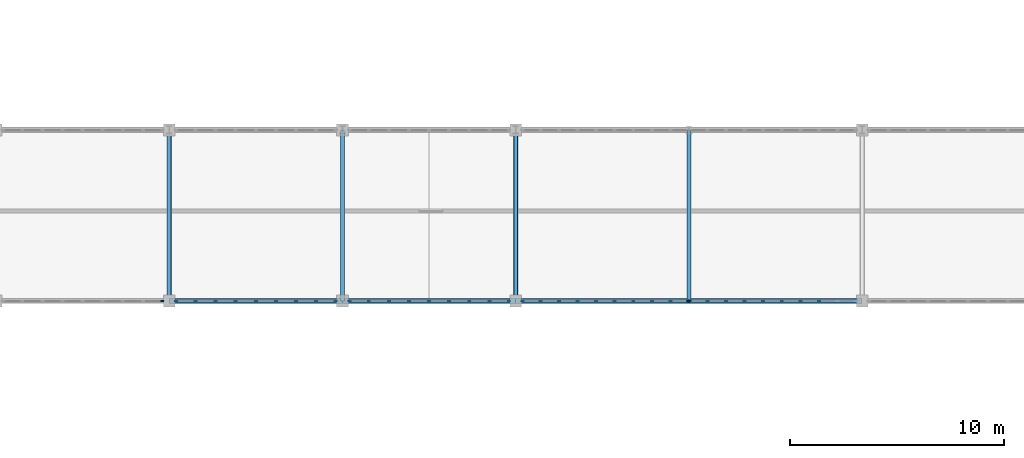
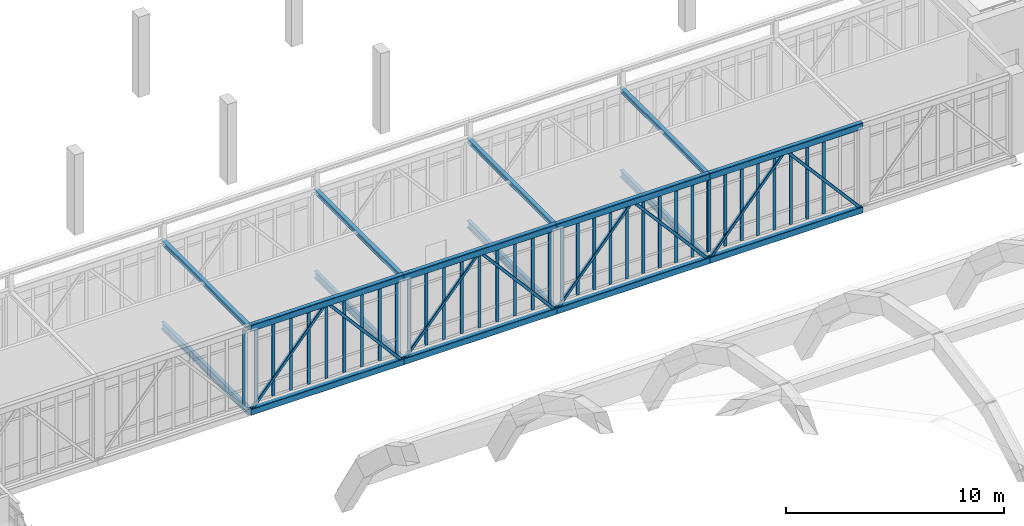
# One storey, part 7 of 67: 53 members, 8 beams, 5 elements without a shape of their own.
"""IFC4 building model written with IfcOpenShell, lengths in metres."""

from ifc_helpers import new_model, si_unit, direction, frame, origin, origin_2d, place, context, subcontext, project, spatial, rectangle, hollow_rectangle, i_section, extrude, material, material_profile, profile_set, type_object, element, aggregate, save


model = new_model("IFC4")

# Units and contexts
model_context = context("Model", 3, precision=1e-05, world=origin(), true_north=direction((0.0, 1.0)))
body_context = subcontext(model_context, "Body", "Model", "MODEL_VIEW")
ifc_project = project(units=[si_unit("LENGTHUNIT", "METRE"), si_unit("AREAUNIT", "SQUARE_METRE"), si_unit("VOLUMEUNIT", "CUBIC_METRE"), si_unit("PLANEANGLEUNIT", "RADIAN"), si_unit("MASSUNIT", "GRAM", prefix="KILO")], contexts=[model_context])

# Site, building, storey
site_placement = place(None, origin())
site = spatial("IfcSite", under=ifc_project, at=site_placement, CompositionType="ELEMENT")
building_placement = place(site_placement, origin())
building = spatial("IfcBuilding", under=site, at=building_placement, Name="Tarnveldt Square Police Headquarters", CompositionType="ELEMENT")
storey_placement = place(building_placement, frame((0.0, 0.0, 10.199951171875)))
storey = spatial("IfcBuildingStorey", under=building, at=storey_placement, Name="L02", CompositionType="ELEMENT", Elevation=10.199951171875)

# Beams
ifc_material_1 = material(Name="Steel 350W", Category="steel")
ifc_material_profile_1 = material_profile(ifc_material_1, i_section(OverallWidth=0.202880859375, OverallDepth=0.251953125, WebThickness=0.008056640625, FlangeThickness=0.013427734375, FilletRadius=0.012939453125, at=origin_2d()), Name="W250x58")
ifc_profile_set_1 = profile_set([ifc_material_profile_1], Name="Steel 350W")
beam_type_1 = type_object("IfcBeamType", Name="BM-W250x58", PredefinedType="BEAM", material=ifc_profile_set_1)
for number, where, z_axis, x_axis, name in (
    (1, (64.800048828125, 56.0, 4.25), (0.0, 1.0, 0.0), (-1.0, 0.0, 0.0), "Skybridge SBS Roof Strut 3"),
    (2, (72.89990234375, 56.0, 4.25), (0.0, 1.0, 0.0), (-1.0, 0.0, 0.0), "Skybridge SBS Roof Strut 4"),
    (3, (81.0, 56.0, 4.25), (0.0, 1.0, 0.0), (-1.0, 0.0, 0.0), "Skybridge SBS Roof Strut 5"),
    (4, (89.10009765625, 56.0, 4.25), (0.0, 1.0, 0.0), (-1.0, 0.0, 0.0), "Skybridge SBS Roof Strut 6"),
):
    element("IfcBeam", number, at=place(storey_placement, frame(where, z_axis=z_axis, x_axis=x_axis)), inside=storey, type_object=beam_type_1, Name=name, PredefinedType="BEAM", context=body_context, shape_type="SweptSolid", body=[
        extrude(i_section(OverallWidth=0.202880859375, OverallDepth=0.251953125, WebThickness=0.008056640625, FlangeThickness=0.013427734375, FilletRadius=0.012939453125, at=origin_2d()), origin(), (0.0, 0.0, 1.0), 8.0),
    ])
ifc_material_profile_2 = material_profile(ifc_material_1, i_section(OverallWidth=0.180908203125, OverallDepth=0.4169921875, WebThickness=0.010986328125, FlangeThickness=0.018310546875, FilletRadius=0.01611328125, at=origin_2d()), Name="W410x85")
ifc_profile_set_2 = profile_set([ifc_material_profile_2], Name="Steel 350W")
beam_type_2 = type_object("IfcBeamType", Name="BM-W410x85", PredefinedType="BEAM", material=ifc_profile_set_2)
for number, where, z_axis, x_axis, name in (
    (5, (64.800048828125, 56.0, -0.43994140625), (0.0, 1.0, 0.0), (-1.0, 0.0, 0.0), "Skybridge SBS Floor Crossbeam 3"),
    (6, (72.89990234375, 56.0, -0.43994140625), (0.0, 1.0, 0.0), (-1.0, 0.0, 0.0), "Skybridge SBS Floor Crossbeam 4"),
    (7, (81.0, 56.0, -0.43994140625), (0.0, 1.0, 0.0), (-1.0, 0.0, 0.0), "Skybridge SBS Floor Crossbeam 5"),
    (8, (89.10009765625, 56.0, -0.43994140625), (0.0, 1.0, 0.0), (-1.0, 0.0, 0.0), "Skybridge SBS Floor Crossbeam 6"),
):
    element("IfcBeam", number, at=place(storey_placement, frame(where, z_axis=z_axis, x_axis=x_axis)), inside=storey, type_object=beam_type_2, Name=name, PredefinedType="BEAM", context=body_context, shape_type="SweptSolid", body=[
        extrude(i_section(OverallWidth=0.180908203125, OverallDepth=0.4169921875, WebThickness=0.010986328125, FlangeThickness=0.018310546875, FilletRadius=0.01611328125, at=origin_2d()), origin(), (0.0, 0.0, 1.0), 8.0),
    ])

# Curtain wall, member
ifc_material_2 = material(Name="Triple-glazed low-e laminated vision glass", Category="glass")
curtain_wall_type_1 = type_object("IfcCurtainWallType", Name="CW-SB-752x424", PredefinedType="USERDEFINED", material=ifc_material_2)
curtain_wall_1_placement = place(storey_placement, origin())
curtain_wall_1 = element("IfcCurtainWall", 9, at=curtain_wall_1_placement, inside=storey, type_object=curtain_wall_type_1, Name="L02 Curtain Wall CW-L02-139", ObjectType="GLAZED CURTAIN WALL", PredefinedType="USERDEFINED")
ifc_material_3 = material(Name="Thermally broken anodised aluminium 6063-T6", Category="aluminium")
ifc_material_profile_3 = material_profile(ifc_material_3, rectangle(XDim=0.06494140625, YDim=0.159912109375, at=origin_2d()), Name="CW-M65x160")
ifc_profile_set_3 = profile_set([ifc_material_profile_3], Name="Thermally broken anodised aluminium 6063-T6")
member_type_1 = type_object("IfcMemberType", Name="CWM-65x160", PredefinedType="MULLION", material=ifc_profile_set_3)
member_1_placement = place(storey_placement, frame((64.4775390625, 56.0, 0.0), z_axis=(0.0, 0.0, 1.0), x_axis=(0.0, 1.0, 0.0)))
member_1 = element("IfcMember", 10, at=member_1_placement, type_object=member_type_1, Name="CW-SB86 mullion 9", PredefinedType="MULLION", context=body_context, shape_type="SweptSolid", body=[
    extrude(rectangle(XDim=0.06494140625, YDim=0.159912109375, at=origin_2d()), origin(), (0.0, 0.0, 1.0), 4.239990234375),
])
aggregate(curtain_wall_1, [member_1])

# Curtain wall, members
curtain_wall_2_placement = place(storey_placement, origin())
curtain_wall_2 = element("IfcCurtainWall", 11, at=curtain_wall_2_placement, inside=storey, type_object=curtain_wall_type_1, Name="L02 Curtain Wall CW-L02-140", ObjectType="GLAZED CURTAIN WALL", PredefinedType="USERDEFINED")
member_2_placement = place(storey_placement, frame((65.12255859375, 56.0, 0.0), z_axis=(0.0, 0.0, 1.0), x_axis=(0.0, 1.0, 0.0)))
member_2 = element("IfcMember", 12, at=member_2_placement, type_object=member_type_1, Name="CW-SB86 mullion 1", PredefinedType="MULLION", context=body_context, shape_type="SweptSolid", body=[
    extrude(rectangle(XDim=0.06494140625, YDim=0.159912109375, at=origin_2d()), origin(), (0.0, 0.0, 1.0), 4.239990234375),
])
member_3_placement = place(storey_placement, frame((66.030029296875, 56.0, 0.0), z_axis=(0.0, 0.0, 1.0), x_axis=(0.0, 1.0, 0.0)))
member_3 = element("IfcMember", 13, at=member_3_placement, type_object=member_type_1, Name="CW-SB86 mullion 2", PredefinedType="MULLION", context=body_context, shape_type="SweptSolid", body=[
    extrude(rectangle(XDim=0.06494140625, YDim=0.159912109375, at=origin_2d()), origin(), (0.0, 0.0, 1.0), 4.239990234375),
])
member_4_placement = place(storey_placement, frame((66.969970703125, 56.0, 0.0), z_axis=(0.0, 0.0, 1.0), x_axis=(0.0, 1.0, 0.0)))
member_4 = element("IfcMember", 14, at=member_4_placement, type_object=member_type_1, Name="CW-SB86 mullion 3", PredefinedType="MULLION", context=body_context, shape_type="SweptSolid", body=[
    extrude(rectangle(XDim=0.06494140625, YDim=0.159912109375, at=origin_2d()), origin(), (0.0, 0.0, 1.0), 4.239990234375),
])
member_5_placement = place(storey_placement, frame((67.909912109375, 56.0, 0.0), z_axis=(0.0, 0.0, 1.0), x_axis=(0.0, 1.0, 0.0)))
member_5 = element("IfcMember", 15, at=member_5_placement, type_object=member_type_1, Name="CW-SB86 mullion 4", PredefinedType="MULLION", context=body_context, shape_type="SweptSolid", body=[
    extrude(rectangle(XDim=0.06494140625, YDim=0.159912109375, at=origin_2d()), origin(), (0.0, 0.0, 1.0), 4.239990234375),
])
member_6_placement = place(storey_placement, frame((68.85009765625, 56.0, 0.0), z_axis=(0.0, 0.0, 1.0), x_axis=(0.0, 1.0, 0.0)))
member_6 = element("IfcMember", 16, at=member_6_placement, type_object=member_type_1, Name="CW-SB86 mullion 5", PredefinedType="MULLION", context=body_context, shape_type="SweptSolid", body=[
    extrude(rectangle(XDim=0.06494140625, YDim=0.159912109375, at=origin_2d()), origin(), (0.0, 0.0, 1.0), 4.239990234375),
])
member_7_placement = place(storey_placement, frame((69.7900390625, 56.0, 0.0), z_axis=(0.0, 0.0, 1.0), x_axis=(0.0, 1.0, 0.0)))
member_7 = element("IfcMember", 17, at=member_7_placement, type_object=member_type_1, Name="CW-SB86 mullion 6", PredefinedType="MULLION", context=body_context, shape_type="SweptSolid", body=[
    extrude(rectangle(XDim=0.06494140625, YDim=0.159912109375, at=origin_2d()), origin(), (0.0, 0.0, 1.0), 4.239990234375),
])
member_8_placement = place(storey_placement, frame((70.72998046875, 56.0, 0.0), z_axis=(0.0, 0.0, 1.0), x_axis=(0.0, 1.0, 0.0)))
member_8 = element("IfcMember", 18, at=member_8_placement, type_object=member_type_1, Name="CW-SB86 mullion 7", PredefinedType="MULLION", context=body_context, shape_type="SweptSolid", body=[
    extrude(rectangle(XDim=0.06494140625, YDim=0.159912109375, at=origin_2d()), origin(), (0.0, 0.0, 1.0), 4.239990234375),
])
member_9_placement = place(storey_placement, frame((71.669921875, 56.0, 0.0), z_axis=(0.0, 0.0, 1.0), x_axis=(0.0, 1.0, 0.0)))
member_9 = element("IfcMember", 19, at=member_9_placement, type_object=member_type_1, Name="CW-SB86 mullion 8", PredefinedType="MULLION", context=body_context, shape_type="SweptSolid", body=[
    extrude(rectangle(XDim=0.06494140625, YDim=0.159912109375, at=origin_2d()), origin(), (0.0, 0.0, 1.0), 4.239990234375),
])
member_10_placement = place(storey_placement, frame((72.577392578125, 56.0, 0.0), z_axis=(0.0, 0.0, 1.0), x_axis=(0.0, 1.0, 0.0)))
member_10 = element("IfcMember", 20, at=member_10_placement, type_object=member_type_1, Name="CW-SB86 mullion 9", PredefinedType="MULLION", context=body_context, shape_type="SweptSolid", body=[
    extrude(rectangle(XDim=0.06494140625, YDim=0.159912109375, at=origin_2d()), origin(), (0.0, 0.0, 1.0), 4.239990234375),
])
aggregate(curtain_wall_2, [member_2, member_3, member_4, member_5, member_6, member_7, member_8, member_9, member_10])

curtain_wall_3_placement = place(storey_placement, origin())
curtain_wall_3 = element("IfcCurtainWall", 21, at=curtain_wall_3_placement, inside=storey, type_object=curtain_wall_type_1, Name="L02 Curtain Wall CW-L02-141", ObjectType="GLAZED CURTAIN WALL", PredefinedType="USERDEFINED")
member_11_placement = place(storey_placement, frame((73.222412109375, 56.0, 0.0), z_axis=(0.0, 0.0, 1.0), x_axis=(0.0, 1.0, 0.0)))
member_11 = element("IfcMember", 22, at=member_11_placement, type_object=member_type_1, Name="CW-SB86 mullion 1", PredefinedType="MULLION", context=body_context, shape_type="SweptSolid", body=[
    extrude(rectangle(XDim=0.06494140625, YDim=0.159912109375, at=origin_2d()), origin(), (0.0, 0.0, 1.0), 4.239990234375),
])
member_12_placement = place(storey_placement, frame((74.1298828125, 56.0, 0.0), z_axis=(0.0, 0.0, 1.0), x_axis=(0.0, 1.0, 0.0)))
member_12 = element("IfcMember", 23, at=member_12_placement, type_object=member_type_1, Name="CW-SB86 mullion 2", PredefinedType="MULLION", context=body_context, shape_type="SweptSolid", body=[
    extrude(rectangle(XDim=0.06494140625, YDim=0.159912109375, at=origin_2d()), origin(), (0.0, 0.0, 1.0), 4.239990234375),
])
member_13_placement = place(storey_placement, frame((75.070068359375, 56.0, 0.0), z_axis=(0.0, 0.0, 1.0), x_axis=(0.0, 1.0, 0.0)))
member_13 = element("IfcMember", 24, at=member_13_placement, type_object=member_type_1, Name="CW-SB86 mullion 3", PredefinedType="MULLION", context=body_context, shape_type="SweptSolid", body=[
    extrude(rectangle(XDim=0.06494140625, YDim=0.159912109375, at=origin_2d()), origin(), (0.0, 0.0, 1.0), 4.239990234375),
])
member_14_placement = place(storey_placement, frame((76.010009765625, 56.0, 0.0), z_axis=(0.0, 0.0, 1.0), x_axis=(0.0, 1.0, 0.0)))
member_14 = element("IfcMember", 25, at=member_14_placement, type_object=member_type_1, Name="CW-SB86 mullion 4", PredefinedType="MULLION", context=body_context, shape_type="SweptSolid", body=[
    extrude(rectangle(XDim=0.06494140625, YDim=0.159912109375, at=origin_2d()), origin(), (0.0, 0.0, 1.0), 4.239990234375),
])
member_15_placement = place(storey_placement, frame((76.949951171875, 56.0, 0.0), z_axis=(0.0, 0.0, 1.0), x_axis=(0.0, 1.0, 0.0)))
member_15 = element("IfcMember", 26, at=member_15_placement, type_object=member_type_1, Name="CW-SB86 mullion 5", PredefinedType="MULLION", context=body_context, shape_type="SweptSolid", body=[
    extrude(rectangle(XDim=0.06494140625, YDim=0.159912109375, at=origin_2d()), origin(), (0.0, 0.0, 1.0), 4.239990234375),
])
member_16_placement = place(storey_placement, frame((77.889892578125, 56.0, 0.0), z_axis=(0.0, 0.0, 1.0), x_axis=(0.0, 1.0, 0.0)))
member_16 = element("IfcMember", 27, at=member_16_placement, type_object=member_type_1, Name="CW-SB86 mullion 6", PredefinedType="MULLION", context=body_context, shape_type="SweptSolid", body=[
    extrude(rectangle(XDim=0.06494140625, YDim=0.159912109375, at=origin_2d()), origin(), (0.0, 0.0, 1.0), 4.239990234375),
])
member_17_placement = place(storey_placement, frame((78.830078125, 56.0, 0.0), z_axis=(0.0, 0.0, 1.0), x_axis=(0.0, 1.0, 0.0)))
member_17 = element("IfcMember", 28, at=member_17_placement, type_object=member_type_1, Name="CW-SB86 mullion 7", PredefinedType="MULLION", context=body_context, shape_type="SweptSolid", body=[
    extrude(rectangle(XDim=0.06494140625, YDim=0.159912109375, at=origin_2d()), origin(), (0.0, 0.0, 1.0), 4.239990234375),
])
member_18_placement = place(storey_placement, frame((79.77001953125, 56.0, 0.0), z_axis=(0.0, 0.0, 1.0), x_axis=(0.0, 1.0, 0.0)))
member_18 = element("IfcMember", 29, at=member_18_placement, type_object=member_type_1, Name="CW-SB86 mullion 8", PredefinedType="MULLION", context=body_context, shape_type="SweptSolid", body=[
    extrude(rectangle(XDim=0.06494140625, YDim=0.159912109375, at=origin_2d()), origin(), (0.0, 0.0, 1.0), 4.239990234375),
])
member_19_placement = place(storey_placement, frame((80.677490234375, 56.0, 0.0), z_axis=(0.0, 0.0, 1.0), x_axis=(0.0, 1.0, 0.0)))
member_19 = element("IfcMember", 30, at=member_19_placement, type_object=member_type_1, Name="CW-SB86 mullion 9", PredefinedType="MULLION", context=body_context, shape_type="SweptSolid", body=[
    extrude(rectangle(XDim=0.06494140625, YDim=0.159912109375, at=origin_2d()), origin(), (0.0, 0.0, 1.0), 4.239990234375),
])
aggregate(curtain_wall_3, [member_11, member_12, member_13, member_14, member_15, member_16, member_17, member_18, member_19])

curtain_wall_type_2 = type_object("IfcCurtainWallType", Name="CW-SB-781x424", PredefinedType="USERDEFINED", material=ifc_material_2)
curtain_wall_4_placement = place(storey_placement, origin())
curtain_wall_4 = element("IfcCurtainWall", 31, at=curtain_wall_4_placement, inside=storey, type_object=curtain_wall_type_2, Name="L02 Curtain Wall CW-L02-142", ObjectType="GLAZED CURTAIN WALL", PredefinedType="USERDEFINED")
member_20_placement = place(storey_placement, frame((81.322509765625, 56.0, 0.0), z_axis=(0.0, 0.0, 1.0), x_axis=(0.0, 1.0, 0.0)))
member_20 = element("IfcMember", 32, at=member_20_placement, type_object=member_type_1, Name="CW-SB87 mullion 1", PredefinedType="MULLION", context=body_context, shape_type="SweptSolid", body=[
    extrude(rectangle(XDim=0.06494140625, YDim=0.159912109375, at=origin_2d()), origin(), (0.0, 0.0, 1.0), 4.239990234375),
])
member_21_placement = place(storey_placement, frame((82.15771484375, 56.0, 0.0), z_axis=(0.0, 0.0, 1.0), x_axis=(0.0, 1.0, 0.0)))
member_21 = element("IfcMember", 33, at=member_21_placement, type_object=member_type_1, Name="CW-SB87 mullion 2", PredefinedType="MULLION", context=body_context, shape_type="SweptSolid", body=[
    extrude(rectangle(XDim=0.06494140625, YDim=0.159912109375, at=origin_2d()), origin(), (0.0, 0.0, 1.0), 4.239990234375),
])
member_22_placement = place(storey_placement, frame((83.025634765625, 56.0, 0.0), z_axis=(0.0, 0.0, 1.0), x_axis=(0.0, 1.0, 0.0)))
member_22 = element("IfcMember", 34, at=member_22_placement, type_object=member_type_1, Name="CW-SB87 mullion 3", PredefinedType="MULLION", context=body_context, shape_type="SweptSolid", body=[
    extrude(rectangle(XDim=0.06494140625, YDim=0.159912109375, at=origin_2d()), origin(), (0.0, 0.0, 1.0), 4.239990234375),
])
member_23_placement = place(storey_placement, frame((83.893310546875, 56.0, 0.0), z_axis=(0.0, 0.0, 1.0), x_axis=(0.0, 1.0, 0.0)))
member_23 = element("IfcMember", 35, at=member_23_placement, type_object=member_type_1, Name="CW-SB87 mullion 4", PredefinedType="MULLION", context=body_context, shape_type="SweptSolid", body=[
    extrude(rectangle(XDim=0.06494140625, YDim=0.159912109375, at=origin_2d()), origin(), (0.0, 0.0, 1.0), 4.239990234375),
])
member_24_placement = place(storey_placement, frame((84.76123046875, 56.0, 0.0), z_axis=(0.0, 0.0, 1.0), x_axis=(0.0, 1.0, 0.0)))
member_24 = element("IfcMember", 36, at=member_24_placement, type_object=member_type_1, Name="CW-SB87 mullion 5", PredefinedType="MULLION", context=body_context, shape_type="SweptSolid", body=[
    extrude(rectangle(XDim=0.06494140625, YDim=0.159912109375, at=origin_2d()), origin(), (0.0, 0.0, 1.0), 4.239990234375),
])
member_25_placement = place(storey_placement, frame((85.62890625, 56.0, 0.0), z_axis=(0.0, 0.0, 1.0), x_axis=(0.0, 1.0, 0.0)))
member_25 = element("IfcMember", 37, at=member_25_placement, type_object=member_type_1, Name="CW-SB87 mullion 6", PredefinedType="MULLION", context=body_context, shape_type="SweptSolid", body=[
    extrude(rectangle(XDim=0.06494140625, YDim=0.159912109375, at=origin_2d()), origin(), (0.0, 0.0, 1.0), 4.239990234375),
])
member_26_placement = place(storey_placement, frame((86.49658203125, 56.0, 0.0), z_axis=(0.0, 0.0, 1.0), x_axis=(0.0, 1.0, 0.0)))
member_26 = element("IfcMember", 38, at=member_26_placement, type_object=member_type_1, Name="CW-SB87 mullion 7", PredefinedType="MULLION", context=body_context, shape_type="SweptSolid", body=[
    extrude(rectangle(XDim=0.06494140625, YDim=0.159912109375, at=origin_2d()), origin(), (0.0, 0.0, 1.0), 4.239990234375),
])
member_27_placement = place(storey_placement, frame((87.364501953125, 56.0, 0.0), z_axis=(0.0, 0.0, 1.0), x_axis=(0.0, 1.0, 0.0)))
member_27 = element("IfcMember", 39, at=member_27_placement, type_object=member_type_1, Name="CW-SB87 mullion 8", PredefinedType="MULLION", context=body_context, shape_type="SweptSolid", body=[
    extrude(rectangle(XDim=0.06494140625, YDim=0.159912109375, at=origin_2d()), origin(), (0.0, 0.0, 1.0), 4.239990234375),
])
member_28_placement = place(storey_placement, frame((88.232177734375, 56.0, 0.0), z_axis=(0.0, 0.0, 1.0), x_axis=(0.0, 1.0, 0.0)))
member_28 = element("IfcMember", 40, at=member_28_placement, type_object=member_type_1, Name="CW-SB87 mullion 9", PredefinedType="MULLION", context=body_context, shape_type="SweptSolid", body=[
    extrude(rectangle(XDim=0.06494140625, YDim=0.159912109375, at=origin_2d()), origin(), (0.0, 0.0, 1.0), 4.239990234375),
])
member_29_placement = place(storey_placement, frame((89.0673828125, 56.0, 0.0), z_axis=(0.0, 0.0, 1.0), x_axis=(0.0, 1.0, 0.0)))
member_29 = element("IfcMember", 41, at=member_29_placement, type_object=member_type_1, Name="CW-SB87 mullion 10", PredefinedType="MULLION", context=body_context, shape_type="SweptSolid", body=[
    extrude(rectangle(XDim=0.06494140625, YDim=0.159912109375, at=origin_2d()), origin(), (0.0, 0.0, 1.0), 4.239990234375),
])
aggregate(curtain_wall_4, [member_20, member_21, member_22, member_23, member_24, member_25, member_26, member_27, member_28, member_29])

curtain_wall_5_placement = place(storey_placement, origin())
curtain_wall_5 = element("IfcCurtainWall", 42, at=curtain_wall_5_placement, inside=storey, type_object=curtain_wall_type_2, Name="L02 Curtain Wall CW-L02-143", ObjectType="GLAZED CURTAIN WALL", PredefinedType="USERDEFINED")
member_30_placement = place(storey_placement, frame((89.132568359375, 56.0, 0.0), z_axis=(0.0, 0.0, 1.0), x_axis=(0.0, 1.0, 0.0)))
member_30 = element("IfcMember", 43, at=member_30_placement, type_object=member_type_1, Name="CW-SB87 mullion 1", PredefinedType="MULLION", context=body_context, shape_type="SweptSolid", body=[
    extrude(rectangle(XDim=0.06494140625, YDim=0.159912109375, at=origin_2d()), origin(), (0.0, 0.0, 1.0), 4.239990234375),
])
member_31_placement = place(storey_placement, frame((89.9677734375, 56.0, 0.0), z_axis=(0.0, 0.0, 1.0), x_axis=(0.0, 1.0, 0.0)))
member_31 = element("IfcMember", 44, at=member_31_placement, type_object=member_type_1, Name="CW-SB87 mullion 2", PredefinedType="MULLION", context=body_context, shape_type="SweptSolid", body=[
    extrude(rectangle(XDim=0.06494140625, YDim=0.159912109375, at=origin_2d()), origin(), (0.0, 0.0, 1.0), 4.239990234375),
])
member_32_placement = place(storey_placement, frame((90.83544921875, 56.0, 0.0), z_axis=(0.0, 0.0, 1.0), x_axis=(0.0, 1.0, 0.0)))
member_32 = element("IfcMember", 45, at=member_32_placement, type_object=member_type_1, Name="CW-SB87 mullion 3", PredefinedType="MULLION", context=body_context, shape_type="SweptSolid", body=[
    extrude(rectangle(XDim=0.06494140625, YDim=0.159912109375, at=origin_2d()), origin(), (0.0, 0.0, 1.0), 4.239990234375),
])
member_33_placement = place(storey_placement, frame((91.703369140625, 56.0, 0.0), z_axis=(0.0, 0.0, 1.0), x_axis=(0.0, 1.0, 0.0)))
member_33 = element("IfcMember", 46, at=member_33_placement, type_object=member_type_1, Name="CW-SB87 mullion 4", PredefinedType="MULLION", context=body_context, shape_type="SweptSolid", body=[
    extrude(rectangle(XDim=0.06494140625, YDim=0.159912109375, at=origin_2d()), origin(), (0.0, 0.0, 1.0), 4.239990234375),
])
member_34_placement = place(storey_placement, frame((92.571044921875, 56.0, 0.0), z_axis=(0.0, 0.0, 1.0), x_axis=(0.0, 1.0, 0.0)))
member_34 = element("IfcMember", 47, at=member_34_placement, type_object=member_type_1, Name="CW-SB87 mullion 5", PredefinedType="MULLION", context=body_context, shape_type="SweptSolid", body=[
    extrude(rectangle(XDim=0.06494140625, YDim=0.159912109375, at=origin_2d()), origin(), (0.0, 0.0, 1.0), 4.239990234375),
])
member_35_placement = place(storey_placement, frame((93.43896484375, 56.0, 0.0), z_axis=(0.0, 0.0, 1.0), x_axis=(0.0, 1.0, 0.0)))
member_35 = element("IfcMember", 48, at=member_35_placement, type_object=member_type_1, Name="CW-SB87 mullion 6", PredefinedType="MULLION", context=body_context, shape_type="SweptSolid", body=[
    extrude(rectangle(XDim=0.06494140625, YDim=0.159912109375, at=origin_2d()), origin(), (0.0, 0.0, 1.0), 4.239990234375),
])
member_36_placement = place(storey_placement, frame((94.306640625, 56.0, 0.0), z_axis=(0.0, 0.0, 1.0), x_axis=(0.0, 1.0, 0.0)))
member_36 = element("IfcMember", 49, at=member_36_placement, type_object=member_type_1, Name="CW-SB87 mullion 7", PredefinedType="MULLION", context=body_context, shape_type="SweptSolid", body=[
    extrude(rectangle(XDim=0.06494140625, YDim=0.159912109375, at=origin_2d()), origin(), (0.0, 0.0, 1.0), 4.239990234375),
])
member_37_placement = place(storey_placement, frame((95.174560546875, 56.0, 0.0), z_axis=(0.0, 0.0, 1.0), x_axis=(0.0, 1.0, 0.0)))
member_37 = element("IfcMember", 50, at=member_37_placement, type_object=member_type_1, Name="CW-SB87 mullion 8", PredefinedType="MULLION", context=body_context, shape_type="SweptSolid", body=[
    extrude(rectangle(XDim=0.06494140625, YDim=0.159912109375, at=origin_2d()), origin(), (0.0, 0.0, 1.0), 4.239990234375),
])
aggregate(curtain_wall_5, [member_30, member_31, member_32, member_33, member_34, member_35, member_36, member_37])

# Members
ifc_material_profile_4 = material_profile(ifc_material_1, hollow_rectangle(XDim=0.25390625, YDim=0.355712890625, WallThickness=0.015869140625, InnerFilletRadius=0.015869140625, OuterFilletRadius=0.03173828125, at=origin_2d()), Name="HSS356x254x16")
ifc_profile_set_4 = profile_set([ifc_material_profile_4], Name="Steel 350W")
member_type_2 = type_object("IfcMemberType", Name="MEM-SB-CHORD", PredefinedType="CHORD", material=ifc_profile_set_4)
for number, where, z_axis, x_axis, name in (
    (51, (64.800048828125, 56.0, -0.43994140625), (1.0, 0.0, 0.0), (0.0, 1.0, 0.0), "Skybridge SBS Bottom Chord S3"),
    (52, (64.800048828125, 56.0, 4.25), (1.0, 0.0, 0.0), (0.0, 1.0, 0.0), "Skybridge SBS Top Chord S3"),
):
    element("IfcMember", number, at=place(storey_placement, frame(where, z_axis=z_axis, x_axis=x_axis)), inside=storey, type_object=member_type_2, Name=name, PredefinedType="CHORD", context=body_context, shape_type="SweptSolid", body=[
        extrude(hollow_rectangle(XDim=0.25390625, YDim=0.355712890625, WallThickness=0.015869140625, InnerFilletRadius=0.015869140625, OuterFilletRadius=0.03173828125, at=origin_2d()), origin(), (0.0, 0.0, 1.0), 8.099853515625),
    ])
for number, where, z_axis, x_axis, name in (
    (53, (72.89990234375, 56.0, -0.43994140625), (1.0, 0.0, 0.0), (0.0, 1.0, 0.0), "Skybridge SBS Bottom Chord S4"),
    (54, (72.89990234375, 56.0, 4.25), (1.0, 0.0, 0.0), (0.0, 1.0, 0.0), "Skybridge SBS Top Chord S4"),
    (55, (81.0, 56.0, -0.43994140625), (1.0, 0.0, 0.0), (0.0, 1.0, 0.0), "Skybridge SBS Bottom Chord S5"),
    (56, (81.0, 56.0, 4.25), (1.0, 0.0, 0.0), (0.0, 1.0, 0.0), "Skybridge SBS Top Chord S5"),
):
    element("IfcMember", number, at=place(storey_placement, frame(where, z_axis=z_axis, x_axis=x_axis)), inside=storey, type_object=member_type_2, Name=name, PredefinedType="CHORD", context=body_context, shape_type="SweptSolid", body=[
        extrude(hollow_rectangle(XDim=0.25390625, YDim=0.355712890625, WallThickness=0.015869140625, InnerFilletRadius=0.015869140625, OuterFilletRadius=0.03173828125, at=origin_2d()), origin(), (0.0, 0.0, 1.0), 8.10009765625),
    ])
for number, where, z_axis, x_axis, name in (
    (57, (89.10009765625, 56.0, -0.43994140625), (1.0, 0.0, 0.0), (0.0, 1.0, 0.0), "Skybridge SBS Bottom Chord S6"),
    (58, (89.10009765625, 56.0, 4.25), (1.0, 0.0, 0.0), (0.0, 1.0, 0.0), "Skybridge SBS Top Chord S6"),
):
    element("IfcMember", number, at=place(storey_placement, frame(where, z_axis=z_axis, x_axis=x_axis)), inside=storey, type_object=member_type_2, Name=name, PredefinedType="CHORD", context=body_context, shape_type="SweptSolid", body=[
        extrude(hollow_rectangle(XDim=0.25390625, YDim=0.355712890625, WallThickness=0.015869140625, InnerFilletRadius=0.015869140625, OuterFilletRadius=0.03173828125, at=origin_2d()), origin(), (0.0, 0.0, 1.0), 8.099853515625),
    ])
ifc_material_profile_5 = material_profile(ifc_material_1, hollow_rectangle(XDim=0.15234375, YDim=0.15234375, WallThickness=0.009521484375, InnerFilletRadius=0.009521484375, OuterFilletRadius=0.01904296875, at=origin_2d()), Name="HSS152x152x9.5")
ifc_profile_set_5 = profile_set([ifc_material_profile_5], Name="Steel 350W")
member_type_3 = type_object("IfcMemberType", Name="MEM-SB-WEB", PredefinedType="BRACE", material=ifc_profile_set_5)
for number, where, z_axis, x_axis, name in (
    (59, (64.800048828125, 56.0, -0.43994140625), (0.653587045151, 0.0, 0.756851355558), (0.0, 1.0, 0.0), "Skybridge SBS Web A3"),
    (60, (72.89990234375, 56.0, -0.43994140625), (-0.65356447569, 0.0, 0.756870845069), (0.0, -1.0, 0.0), "Skybridge SBS Web B3"),
    (61, (72.89990234375, 56.0, -0.43994140625), (0.653587045151, 0.0, 0.756851355558), (0.0, 1.0, 0.0), "Skybridge SBS Web A4"),
    (62, (81.0, 56.0, -0.43994140625), (-0.653587045151, 0.0, 0.756851355558), (0.0, -1.0, 0.0), "Skybridge SBS Web B4"),
    (63, (81.0, 56.0, -0.43994140625), (0.653587045151, 0.0, 0.756851355558), (0.0, 1.0, 0.0), "Skybridge SBS Web A5"),
    (64, (89.10009765625, 56.0, -0.43994140625), (-0.653587045151, 0.0, 0.756851355558), (0.0, -1.0, 0.0), "Skybridge SBS Web B5"),
    (65, (89.10009765625, 56.0, -0.43994140625), (0.65356447569, 0.0, 0.756870845069), (0.0, 1.0, 0.0), "Skybridge SBS Web A6"),
    (66, (97.199951171875, 56.0, -0.43994140625), (-0.653587045151, 0.0, 0.756851355558), (0.0, -1.0, 0.0), "Skybridge SBS Web B6"),
):
    element("IfcMember", number, at=place(storey_placement, frame(where, z_axis=z_axis, x_axis=x_axis)), inside=storey, type_object=member_type_3, Name=name, PredefinedType="BRACE", context=body_context, shape_type="SweptSolid", body=[
        extrude(hollow_rectangle(XDim=0.15234375, YDim=0.15234375, WallThickness=0.009521484375, InnerFilletRadius=0.009521484375, OuterFilletRadius=0.01904296875, at=origin_2d()), origin(), (0.0, 0.0, 1.0), 6.196533203125),
    ])

save(model, "model.ifc")
